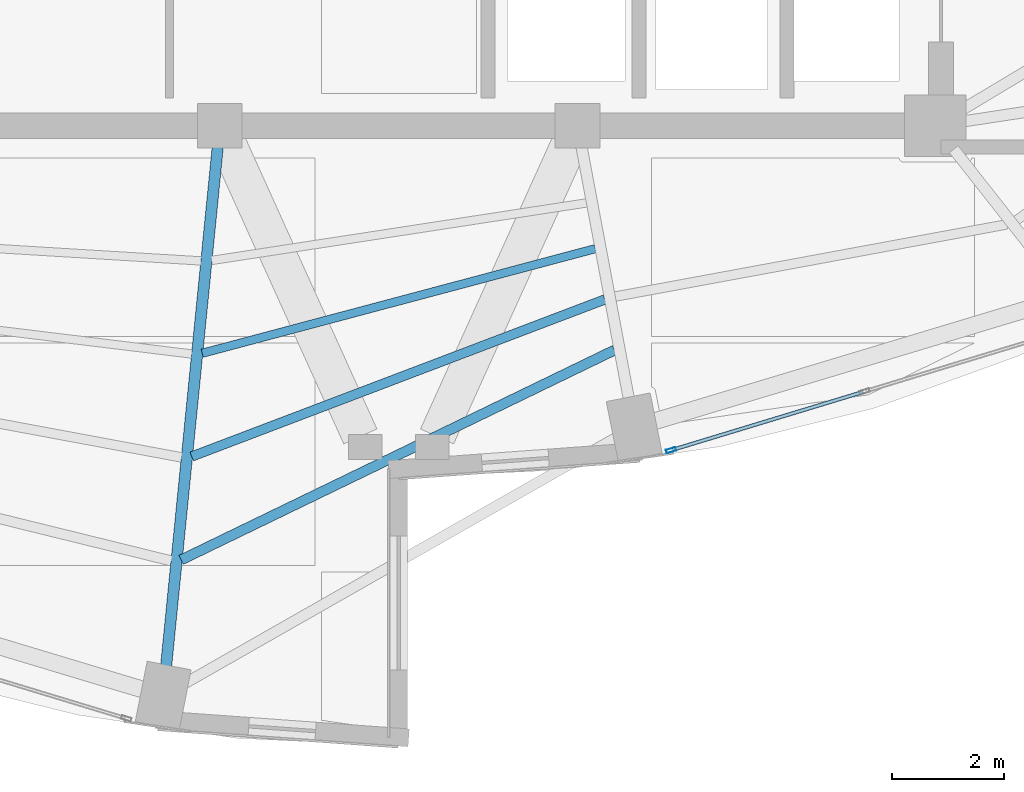
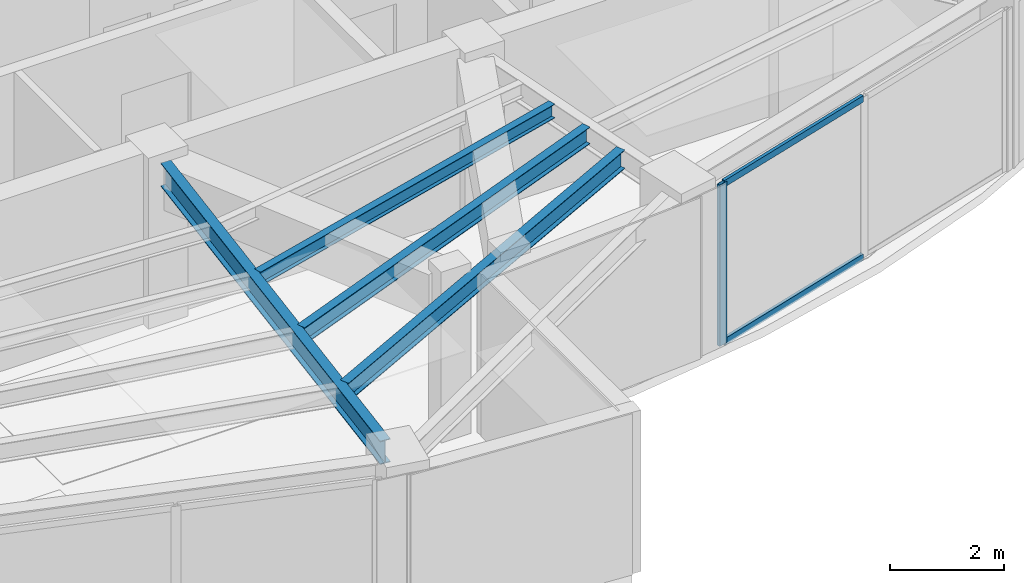
# One storey, part 6 of 23: 4 beams, 3 members, 1 element without a shape of its own.
"""IFC4 building model written with IfcOpenShell, lengths in metres."""

from ifc_helpers import new_model, si_unit, direction, frame, origin, origin_2d, place, context, subcontext, project, spatial, hollow_rectangle, i_section, extrude, material, layer, layer_set, material_profile, profile_set, type_object, element, aggregate, save


model = new_model("IFC4")

# Units and contexts
model_context = context("Model", 3, precision=1e-05, world=origin(), true_north=direction((0.0, 1.0)))
body_context = subcontext(model_context, "Body", "Model", "MODEL_VIEW")
ifc_project = project(units=[si_unit("LENGTHUNIT", "METRE"), si_unit("AREAUNIT", "SQUARE_METRE"), si_unit("VOLUMEUNIT", "CUBIC_METRE"), si_unit("PLANEANGLEUNIT", "RADIAN"), si_unit("MASSUNIT", "GRAM", prefix="KILO")], contexts=[model_context])

# Site, building, storey
site_placement = place(None, origin())
site = spatial("IfcSite", under=ifc_project, at=site_placement, CompositionType="ELEMENT")
building_placement = place(site_placement, origin())
building = spatial("IfcBuilding", under=site, at=building_placement, Name="Lazwardi Medical Tower", CompositionType="ELEMENT")
storey_placement = place(building_placement, frame((0.0, 0.0, 234.9599609375)))
storey = spatial("IfcBuildingStorey", under=building, at=storey_placement, Name="L61", CompositionType="ELEMENT", Elevation=234.9599609375)

# Beams
ifc_material_1 = material(Name="Steel S355", Category="steel")
ifc_material_profile_1 = material_profile(ifc_material_1, i_section(OverallWidth=0.199951171875, OverallDepth=0.5, WebThickness=0.01025390625, FlangeThickness=0.01611328125, at=origin_2d()), Name="IPE 500")
ifc_profile_set_1 = profile_set([ifc_material_profile_1], Name="Steel S355")
beam_type_1 = type_object("IfcBeamType", Name="BM-RG-W3", PredefinedType="BEAM", material=ifc_profile_set_1)
beam_1_placement = place(storey_placement, frame((31.8388671875, 10.734130859375, 3.197998046875), z_axis=(0.098954361922, 0.995091972763, 0.0), x_axis=(-0.995091972763, 0.098954361922, 0.0)))
element("IfcBeam", 1, at=beam_1_placement, inside=storey, type_object=beam_type_1, Name="Radial girder RG-04 R16 L61", PredefinedType="BEAM", context=body_context, shape_type="SweptSolid", body=[
    extrude(i_section(OverallWidth=0.199951171875, OverallDepth=0.5, WebThickness=0.01025390625, FlangeThickness=0.01611328125, at=origin_2d()), origin(), (0.0, 0.0, 1.0), 9.32861328125),
])
ifc_material_profile_2 = material_profile(ifc_material_1, i_section(OverallWidth=0.179931640625, OverallDepth=0.39990234375, WebThickness=0.008544921875, FlangeThickness=0.013427734375, at=origin_2d()), Name="IPE 400")
ifc_profile_set_2 = profile_set([ifc_material_profile_2], Name="Steel S355")
beam_type_2 = type_object("IfcBeamType", Name="BM-SJ-01", PredefinedType="JOIST", material=ifc_profile_set_2)
beam_2_placement = place(storey_placement, frame((32.10888671875, 12.632080078125, 3.248046875), z_axis=(0.900068885459, 0.435747635024, 0.0), x_axis=(-0.435747635024, 0.900068885459, 0.0)))
element("IfcBeam", 2, at=beam_2_placement, inside=storey, type_object=beam_type_2, Name="Secondary joist SJ-01 R1 B16 L61", PredefinedType="JOIST", context=body_context, shape_type="SweptSolid", body=[
    extrude(i_section(OverallWidth=0.179931640625, OverallDepth=0.39990234375, WebThickness=0.008544921875, FlangeThickness=0.013427734375, at=origin_2d()), origin(), (0.0, 0.0, 1.0), 8.612548828125),
])
ifc_material_profile_3 = material_profile(ifc_material_1, i_section(OverallWidth=0.169921875, OverallDepth=0.360107421875, WebThickness=0.008056640625, FlangeThickness=0.0126953125, at=origin_2d()), Name="IPE 360")
ifc_profile_set_3 = profile_set([ifc_material_profile_3], Name="Steel S355")
beam_type_3 = type_object("IfcBeamType", Name="BM-SJ-02", PredefinedType="JOIST", material=ifc_profile_set_3)
beam_3_placement = place(storey_placement, frame((32.296875, 14.48095703125, 3.26806640625), z_axis=(0.934714470268, 0.355399576633, 0.0), x_axis=(-0.355399576633, 0.934714470268, 0.0)))
element("IfcBeam", 3, at=beam_3_placement, inside=storey, type_object=beam_type_3, Name="Secondary joist SJ-02 R2 B16 L61", PredefinedType="JOIST", context=body_context, shape_type="SweptSolid", body=[
    extrude(i_section(OverallWidth=0.169921875, OverallDepth=0.360107421875, WebThickness=0.008056640625, FlangeThickness=0.0126953125, at=origin_2d()), origin(), (0.0, 0.0, 1.0), 7.908203125),
])
ifc_material_profile_4 = material_profile(ifc_material_1, i_section(OverallWidth=0.14990234375, OverallDepth=0.300048828125, WebThickness=0.007080078125, FlangeThickness=0.0107421875, at=origin_2d()), Name="IPE 300")
ifc_profile_set_4 = profile_set([ifc_material_profile_4], Name="Steel S355")
beam_type_4 = type_object("IfcBeamType", Name="BM-SJ-03", PredefinedType="JOIST", material=ifc_profile_set_4)
beam_4_placement = place(storey_placement, frame((32.484619140625, 16.328125, 3.298095703125), z_axis=(0.966369007826, 0.257159368316, 0.0), x_axis=(-0.257159368316, 0.966369007826, 0.0)))
element("IfcBeam", 4, at=beam_4_placement, inside=storey, type_object=beam_type_4, Name="Secondary joist SJ-03 R3 B16 L61", PredefinedType="JOIST", context=body_context, shape_type="SweptSolid", body=[
    extrude(i_section(OverallWidth=0.14990234375, OverallDepth=0.300048828125, WebThickness=0.007080078125, FlangeThickness=0.0107421875, at=origin_2d()), origin(), (0.0, 0.0, 1.0), 7.27685546875),
])

# Curtain wall, members
ifc_material_2 = material(Name="Anodised bronze aluminium and solar control glazing", Category="aluminium")
ifc_layer = layer(ifc_material_2, 0.18994140625)
ifc_layer_set = layer_set([ifc_layer], Name="Anodised bronze aluminium and solar control glazing")
curtain_wall_type = type_object("IfcCurtainWallType", Name="CW-SYS-04", PredefinedType="NOTDEFINED", material=ifc_layer_set)
curtain_wall_placement = place(storey_placement, origin())
curtain_wall = element("IfcCurtainWall", 5, at=curtain_wall_placement, inside=storey, type_object=curtain_wall_type, Name="L61 Unitised bronze curtain wall CW-04", PredefinedType="NOTDEFINED")
ifc_material_3 = material(Name="Anodised bronze aluminium", Category="aluminium")
ifc_material_profile_5 = material_profile(ifc_material_3, hollow_rectangle(XDim=0.06494140625, YDim=0.179931640625, WallThickness=0.00390625, at=origin_2d()), Name="ALU-MULLION 180x65x4")
ifc_profile_set_5 = profile_set([ifc_material_profile_5], Name="Anodised bronze aluminium")
member_type_1 = type_object("IfcMemberType", Name="CW-MUL-03", PredefinedType="MULLION", material=ifc_profile_set_5)
member_1_placement = place(storey_placement, frame((40.873046875, 14.593017578125, 0.0), z_axis=(0.0, 0.0, 1.0), x_axis=(-0.290581889515, 0.956850126972, 0.0)))
member_1 = element("IfcMember", 6, at=member_1_placement, type_object=member_type_1, Name="CW-04 mullion 1", PredefinedType="MULLION", context=body_context, shape_type="SweptSolid", body=[
    extrude(hollow_rectangle(XDim=0.06494140625, YDim=0.179931640625, WallThickness=0.00390625, at=origin_2d()), origin(), (0.0, 0.0, 1.0), 3.447998046875),
])
ifc_material_profile_6 = material_profile(ifc_material_3, hollow_rectangle(XDim=0.06494140625, YDim=0.139892578125, WallThickness=0.00341796875, at=origin_2d()), Name="ALU-TRANSOM 140x65x3.5")
ifc_profile_set_6 = profile_set([ifc_material_profile_6], Name="Anodised bronze aluminium")
member_type_2 = type_object("IfcMemberType", Name="CW-TRN-03", PredefinedType="USERDEFINED", material=ifc_profile_set_6)
member_2_placement = place(storey_placement, frame((40.904296875, 14.602294921875, 0.032470703125), z_axis=(0.956843409009, 0.290604010015, 0.0), x_axis=(-0.290604010015, 0.956843409009, 0.0)))
member_2 = element("IfcMember", 7, at=member_2_placement, type_object=member_type_2, Name="CW-04 transom 1.1", ObjectType="TRANSOM", PredefinedType="USERDEFINED", context=body_context, shape_type="SweptSolid", body=[
    extrude(hollow_rectangle(XDim=0.06494140625, YDim=0.139892578125, WallThickness=0.00341796875, at=origin_2d()), origin(), (0.0, 0.0, 1.0), 3.554443359375),
])
member_3_placement = place(storey_placement, frame((40.904296875, 14.602294921875, 3.41552734375), z_axis=(0.956843409009, 0.290604010015, 0.0), x_axis=(-0.290604010015, 0.956843409009, 0.0)))
member_3 = element("IfcMember", 8, at=member_3_placement, type_object=member_type_2, Name="CW-04 transom 1.2", ObjectType="TRANSOM", PredefinedType="USERDEFINED", context=body_context, shape_type="SweptSolid", body=[
    extrude(hollow_rectangle(XDim=0.06494140625, YDim=0.139892578125, WallThickness=0.00341796875, at=origin_2d()), origin(), (0.0, 0.0, 1.0), 3.554443359375),
])
aggregate(curtain_wall, [member_1, member_2, member_3])

save(model, "model.ifc")
